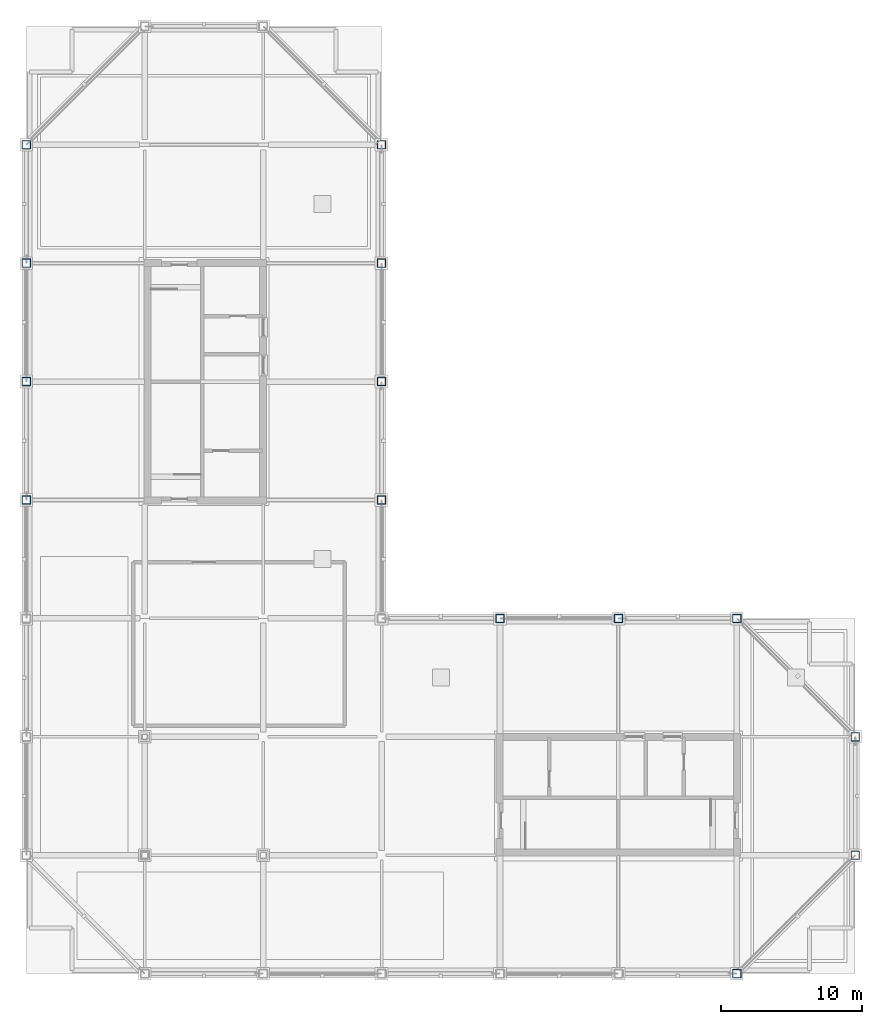
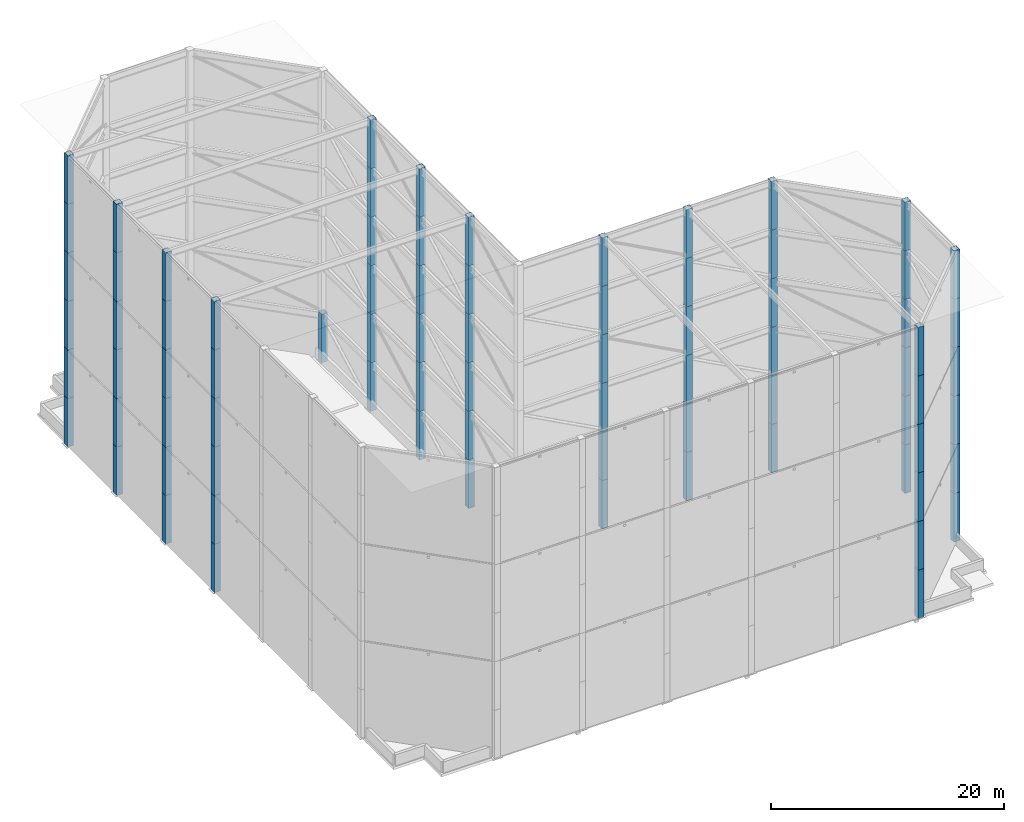
# One storey, part 2 of 17: 79 columns.
"""IFC4 building model written with IfcOpenShell, lengths in metres."""

from ifc_helpers import new_model, si_unit, direction, frame, origin, origin_2d, place, context, subcontext, project, spatial, hollow_rectangle, extrude, material, material_profile, profile_set, type_object, element, save


model = new_model("IFC4")

# Units and contexts
model_context = context("Model", 3, precision=1e-05, world=origin(), true_north=direction((0.0, 1.0)))
body_context = subcontext(model_context, "Body", "Model", "MODEL_VIEW")
ifc_project = project(units=[si_unit("LENGTHUNIT", "METRE"), si_unit("AREAUNIT", "SQUARE_METRE"), si_unit("VOLUMEUNIT", "CUBIC_METRE"), si_unit("PLANEANGLEUNIT", "RADIAN"), si_unit("MASSUNIT", "GRAM", prefix="KILO")], contexts=[model_context])

# Site, building, storey
site_placement = place(None, origin())
site = spatial("IfcSite", under=ifc_project, at=site_placement, CompositionType="ELEMENT")
building_placement = place(site_placement, origin())
building = spatial("IfcBuilding", under=site, at=building_placement, Name="Koriwani Terraces Tower", CompositionType="ELEMENT")
storey_placement = place(building_placement, frame((0.0, 0.0, 374.0)))
storey = spatial("IfcBuildingStorey", under=building, at=storey_placement, Name="RF", CompositionType="ELEMENT", Elevation=374.0)

# Columns
ifc_material = material(Name="Steel ASTM A572 Grade 50", Category="steel")
ifc_material_profile = material_profile(ifc_material, hollow_rectangle(XDim=0.60009765625, YDim=0.60009765625, WallThickness=0.02490234375, at=origin_2d()), Name="Steel ASTM A572 Grade 50", Category="LoadBearing")
ifc_profile_set = profile_set([ifc_material_profile], Name="Steel ASTM A572 Grade 50")
column_type = type_object("IfcColumnType", Name="CROWN_FRAME_COL_HSS600X600X25", PredefinedType="USERDEFINED", material=ifc_profile_set)
column_1_placement = place(storey_placement, frame((58.800048828125, 8.39990234375, 0.0), z_axis=(0.0, 0.0, 1.0), x_axis=(1.0, 0.0, 0.0)))
element("IfcColumn", 1, at=column_1_placement, inside=storey, type_object=column_type, Name="CROWN FRAME Tier 1 Column P06", ObjectType="CROWN FRAME", PredefinedType="USERDEFINED", context=body_context, shape_type="SweptSolid", body=[
    extrude(hollow_rectangle(XDim=0.60009765625, YDim=0.60009765625, WallThickness=0.02490234375, at=origin_2d()), origin(), (0.0, 0.0, 1.0), 5.090087890625),
])
column_2_placement = place(storey_placement, frame((58.800048828125, 8.39990234375, 5.090087890625), z_axis=(0.0, 0.0, 1.0), x_axis=(1.0, 0.0, 0.0)))
element("IfcColumn", 2, at=column_2_placement, inside=storey, type_object=column_type, Name="CROWN FRAME Tier 2 Column P06", ObjectType="CROWN FRAME", PredefinedType="USERDEFINED", context=body_context, shape_type="SweptSolid", body=[
    extrude(hollow_rectangle(XDim=0.60009765625, YDim=0.60009765625, WallThickness=0.02490234375, at=origin_2d()), origin(), (0.0, 0.0, 1.0), 5.08984375),
])
for number, where, z_axis, x_axis, name in (
    (3, (58.800048828125, 8.39990234375, 10.179931640625), (0.0, 0.0, 1.0), (1.0, 0.0, 0.0), "CROWN FRAME Tier 3 Column P06"),
    (4, (58.800048828125, 8.39990234375, 15.27001953125), (0.0, 0.0, 1.0), (1.0, 0.0, 0.0), "CROWN FRAME Tier 4 Column P06"),
):
    element("IfcColumn", number, at=place(storey_placement, frame(where, z_axis=z_axis, x_axis=x_axis)), inside=storey, type_object=column_type, Name=name, ObjectType="CROWN FRAME", PredefinedType="USERDEFINED", context=body_context, shape_type="SweptSolid", body=[
        extrude(hollow_rectangle(XDim=0.60009765625, YDim=0.60009765625, WallThickness=0.02490234375, at=origin_2d()), origin(), (0.0, 0.0, 1.0), 5.090087890625),
    ])
column_3_placement = place(storey_placement, frame((58.800048828125, 8.39990234375, 20.360107421875), z_axis=(0.0, 0.0, 1.0), x_axis=(1.0, 0.0, 0.0)))
element("IfcColumn", 5, at=column_3_placement, inside=storey, type_object=column_type, Name="CROWN FRAME Tier 5 Column P06", ObjectType="CROWN FRAME", PredefinedType="USERDEFINED", context=body_context, shape_type="SweptSolid", body=[
    extrude(hollow_rectangle(XDim=0.60009765625, YDim=0.60009765625, WallThickness=0.02490234375, at=origin_2d()), origin(), (0.0, 0.0, 1.0), 5.08984375),
])
for number, where, z_axis, x_axis, name in (
    (6, (58.800048828125, 8.39990234375, 25.449951171875), (0.0, 0.0, 1.0), (1.0, 0.0, 0.0), "CROWN FRAME Tier 6 Column P06"),
    (7, (67.199951171875, 16.800048828125, 0.0), (0.0, 0.0, 1.0), (1.0, 0.0, 0.0), "CROWN FRAME Tier 1 Column P07"),
):
    element("IfcColumn", number, at=place(storey_placement, frame(where, z_axis=z_axis, x_axis=x_axis)), inside=storey, type_object=column_type, Name=name, ObjectType="CROWN FRAME", PredefinedType="USERDEFINED", context=body_context, shape_type="SweptSolid", body=[
        extrude(hollow_rectangle(XDim=0.60009765625, YDim=0.60009765625, WallThickness=0.02490234375, at=origin_2d()), origin(), (0.0, 0.0, 1.0), 5.090087890625),
    ])
column_4_placement = place(storey_placement, frame((67.199951171875, 16.800048828125, 5.090087890625), z_axis=(0.0, 0.0, 1.0), x_axis=(1.0, 0.0, 0.0)))
element("IfcColumn", 8, at=column_4_placement, inside=storey, type_object=column_type, Name="CROWN FRAME Tier 2 Column P07", ObjectType="CROWN FRAME", PredefinedType="USERDEFINED", context=body_context, shape_type="SweptSolid", body=[
    extrude(hollow_rectangle(XDim=0.60009765625, YDim=0.60009765625, WallThickness=0.02490234375, at=origin_2d()), origin(), (0.0, 0.0, 1.0), 5.08984375),
])
for number, where, z_axis, x_axis, name in (
    (9, (67.199951171875, 16.800048828125, 10.179931640625), (0.0, 0.0, 1.0), (1.0, 0.0, 0.0), "CROWN FRAME Tier 3 Column P07"),
    (10, (67.199951171875, 16.800048828125, 15.27001953125), (0.0, 0.0, 1.0), (1.0, 0.0, 0.0), "CROWN FRAME Tier 4 Column P07"),
):
    element("IfcColumn", number, at=place(storey_placement, frame(where, z_axis=z_axis, x_axis=x_axis)), inside=storey, type_object=column_type, Name=name, ObjectType="CROWN FRAME", PredefinedType="USERDEFINED", context=body_context, shape_type="SweptSolid", body=[
        extrude(hollow_rectangle(XDim=0.60009765625, YDim=0.60009765625, WallThickness=0.02490234375, at=origin_2d()), origin(), (0.0, 0.0, 1.0), 5.090087890625),
    ])
column_5_placement = place(storey_placement, frame((67.199951171875, 16.800048828125, 20.360107421875), z_axis=(0.0, 0.0, 1.0), x_axis=(1.0, 0.0, 0.0)))
element("IfcColumn", 11, at=column_5_placement, inside=storey, type_object=column_type, Name="CROWN FRAME Tier 5 Column P07", ObjectType="CROWN FRAME", PredefinedType="USERDEFINED", context=body_context, shape_type="SweptSolid", body=[
    extrude(hollow_rectangle(XDim=0.60009765625, YDim=0.60009765625, WallThickness=0.02490234375, at=origin_2d()), origin(), (0.0, 0.0, 1.0), 5.08984375),
])
for number, where, z_axis, x_axis, name in (
    (12, (67.199951171875, 16.800048828125, 25.449951171875), (0.0, 0.0, 1.0), (1.0, 0.0, 0.0), "CROWN FRAME Tier 6 Column P07"),
    (13, (67.199951171875, 25.199951171875, 0.0), (0.0, 0.0, 1.0), (1.0, 0.0, 0.0), "CROWN FRAME Tier 1 Column P08"),
):
    element("IfcColumn", number, at=place(storey_placement, frame(where, z_axis=z_axis, x_axis=x_axis)), inside=storey, type_object=column_type, Name=name, ObjectType="CROWN FRAME", PredefinedType="USERDEFINED", context=body_context, shape_type="SweptSolid", body=[
        extrude(hollow_rectangle(XDim=0.60009765625, YDim=0.60009765625, WallThickness=0.02490234375, at=origin_2d()), origin(), (0.0, 0.0, 1.0), 5.090087890625),
    ])
column_6_placement = place(storey_placement, frame((67.199951171875, 25.199951171875, 5.090087890625), z_axis=(0.0, 0.0, 1.0), x_axis=(1.0, 0.0, 0.0)))
element("IfcColumn", 14, at=column_6_placement, inside=storey, type_object=column_type, Name="CROWN FRAME Tier 2 Column P08", ObjectType="CROWN FRAME", PredefinedType="USERDEFINED", context=body_context, shape_type="SweptSolid", body=[
    extrude(hollow_rectangle(XDim=0.60009765625, YDim=0.60009765625, WallThickness=0.02490234375, at=origin_2d()), origin(), (0.0, 0.0, 1.0), 5.08984375),
])
for number, where, z_axis, x_axis, name in (
    (15, (67.199951171875, 25.199951171875, 10.179931640625), (0.0, 0.0, 1.0), (1.0, 0.0, 0.0), "CROWN FRAME Tier 3 Column P08"),
    (16, (67.199951171875, 25.199951171875, 15.27001953125), (0.0, 0.0, 1.0), (1.0, 0.0, 0.0), "CROWN FRAME Tier 4 Column P08"),
):
    element("IfcColumn", number, at=place(storey_placement, frame(where, z_axis=z_axis, x_axis=x_axis)), inside=storey, type_object=column_type, Name=name, ObjectType="CROWN FRAME", PredefinedType="USERDEFINED", context=body_context, shape_type="SweptSolid", body=[
        extrude(hollow_rectangle(XDim=0.60009765625, YDim=0.60009765625, WallThickness=0.02490234375, at=origin_2d()), origin(), (0.0, 0.0, 1.0), 5.090087890625),
    ])
column_7_placement = place(storey_placement, frame((67.199951171875, 25.199951171875, 20.360107421875), z_axis=(0.0, 0.0, 1.0), x_axis=(1.0, 0.0, 0.0)))
element("IfcColumn", 17, at=column_7_placement, inside=storey, type_object=column_type, Name="CROWN FRAME Tier 5 Column P08", ObjectType="CROWN FRAME", PredefinedType="USERDEFINED", context=body_context, shape_type="SweptSolid", body=[
    extrude(hollow_rectangle(XDim=0.60009765625, YDim=0.60009765625, WallThickness=0.02490234375, at=origin_2d()), origin(), (0.0, 0.0, 1.0), 5.08984375),
])
for number, where, z_axis, x_axis, name in (
    (18, (67.199951171875, 25.199951171875, 25.449951171875), (0.0, 0.0, 1.0), (1.0, 0.0, 0.0), "CROWN FRAME Tier 6 Column P08"),
    (19, (58.800048828125, 33.60009765625, 0.0), (0.0, 0.0, 1.0), (1.0, 0.0, 0.0), "CROWN FRAME Tier 1 Column P09"),
):
    element("IfcColumn", number, at=place(storey_placement, frame(where, z_axis=z_axis, x_axis=x_axis)), inside=storey, type_object=column_type, Name=name, ObjectType="CROWN FRAME", PredefinedType="USERDEFINED", context=body_context, shape_type="SweptSolid", body=[
        extrude(hollow_rectangle(XDim=0.60009765625, YDim=0.60009765625, WallThickness=0.02490234375, at=origin_2d()), origin(), (0.0, 0.0, 1.0), 5.090087890625),
    ])
column_8_placement = place(storey_placement, frame((58.800048828125, 33.60009765625, 5.090087890625), z_axis=(0.0, 0.0, 1.0), x_axis=(1.0, 0.0, 0.0)))
element("IfcColumn", 20, at=column_8_placement, inside=storey, type_object=column_type, Name="CROWN FRAME Tier 2 Column P09", ObjectType="CROWN FRAME", PredefinedType="USERDEFINED", context=body_context, shape_type="SweptSolid", body=[
    extrude(hollow_rectangle(XDim=0.60009765625, YDim=0.60009765625, WallThickness=0.02490234375, at=origin_2d()), origin(), (0.0, 0.0, 1.0), 5.08984375),
])
for number, where, z_axis, x_axis, name in (
    (21, (58.800048828125, 33.60009765625, 10.179931640625), (0.0, 0.0, 1.0), (1.0, 0.0, 0.0), "CROWN FRAME Tier 3 Column P09"),
    (22, (58.800048828125, 33.60009765625, 15.27001953125), (0.0, 0.0, 1.0), (1.0, 0.0, 0.0), "CROWN FRAME Tier 4 Column P09"),
):
    element("IfcColumn", number, at=place(storey_placement, frame(where, z_axis=z_axis, x_axis=x_axis)), inside=storey, type_object=column_type, Name=name, ObjectType="CROWN FRAME", PredefinedType="USERDEFINED", context=body_context, shape_type="SweptSolid", body=[
        extrude(hollow_rectangle(XDim=0.60009765625, YDim=0.60009765625, WallThickness=0.02490234375, at=origin_2d()), origin(), (0.0, 0.0, 1.0), 5.090087890625),
    ])
column_9_placement = place(storey_placement, frame((58.800048828125, 33.60009765625, 20.360107421875), z_axis=(0.0, 0.0, 1.0), x_axis=(1.0, 0.0, 0.0)))
element("IfcColumn", 23, at=column_9_placement, inside=storey, type_object=column_type, Name="CROWN FRAME Tier 5 Column P09", ObjectType="CROWN FRAME", PredefinedType="USERDEFINED", context=body_context, shape_type="SweptSolid", body=[
    extrude(hollow_rectangle(XDim=0.60009765625, YDim=0.60009765625, WallThickness=0.02490234375, at=origin_2d()), origin(), (0.0, 0.0, 1.0), 5.08984375),
])
for number, where, z_axis, x_axis, name in (
    (24, (58.800048828125, 33.60009765625, 25.449951171875), (0.0, 0.0, 1.0), (1.0, 0.0, 0.0), "CROWN FRAME Tier 6 Column P09"),
    (25, (50.39990234375, 33.60009765625, 0.0), (0.0, 0.0, 1.0), (1.0, 0.0, 0.0), "CROWN FRAME Tier 1 Column P10"),
):
    element("IfcColumn", number, at=place(storey_placement, frame(where, z_axis=z_axis, x_axis=x_axis)), inside=storey, type_object=column_type, Name=name, ObjectType="CROWN FRAME", PredefinedType="USERDEFINED", context=body_context, shape_type="SweptSolid", body=[
        extrude(hollow_rectangle(XDim=0.60009765625, YDim=0.60009765625, WallThickness=0.02490234375, at=origin_2d()), origin(), (0.0, 0.0, 1.0), 5.090087890625),
    ])
column_10_placement = place(storey_placement, frame((50.39990234375, 33.60009765625, 5.090087890625), z_axis=(0.0, 0.0, 1.0), x_axis=(1.0, 0.0, 0.0)))
element("IfcColumn", 26, at=column_10_placement, inside=storey, type_object=column_type, Name="CROWN FRAME Tier 2 Column P10", ObjectType="CROWN FRAME", PredefinedType="USERDEFINED", context=body_context, shape_type="SweptSolid", body=[
    extrude(hollow_rectangle(XDim=0.60009765625, YDim=0.60009765625, WallThickness=0.02490234375, at=origin_2d()), origin(), (0.0, 0.0, 1.0), 5.08984375),
])
for number, where, z_axis, x_axis, name in (
    (27, (50.39990234375, 33.60009765625, 10.179931640625), (0.0, 0.0, 1.0), (1.0, 0.0, 0.0), "CROWN FRAME Tier 3 Column P10"),
    (28, (50.39990234375, 33.60009765625, 15.27001953125), (0.0, 0.0, 1.0), (1.0, 0.0, 0.0), "CROWN FRAME Tier 4 Column P10"),
):
    element("IfcColumn", number, at=place(storey_placement, frame(where, z_axis=z_axis, x_axis=x_axis)), inside=storey, type_object=column_type, Name=name, ObjectType="CROWN FRAME", PredefinedType="USERDEFINED", context=body_context, shape_type="SweptSolid", body=[
        extrude(hollow_rectangle(XDim=0.60009765625, YDim=0.60009765625, WallThickness=0.02490234375, at=origin_2d()), origin(), (0.0, 0.0, 1.0), 5.090087890625),
    ])
column_11_placement = place(storey_placement, frame((50.39990234375, 33.60009765625, 20.360107421875), z_axis=(0.0, 0.0, 1.0), x_axis=(1.0, 0.0, 0.0)))
element("IfcColumn", 29, at=column_11_placement, inside=storey, type_object=column_type, Name="CROWN FRAME Tier 5 Column P10", ObjectType="CROWN FRAME", PredefinedType="USERDEFINED", context=body_context, shape_type="SweptSolid", body=[
    extrude(hollow_rectangle(XDim=0.60009765625, YDim=0.60009765625, WallThickness=0.02490234375, at=origin_2d()), origin(), (0.0, 0.0, 1.0), 5.08984375),
])
for number, where, z_axis, x_axis, name in (
    (30, (50.39990234375, 33.60009765625, 25.449951171875), (0.0, 0.0, 1.0), (1.0, 0.0, 0.0), "CROWN FRAME Tier 6 Column P10"),
    (31, (42.0, 33.60009765625, 0.0), (0.0, 0.0, 1.0), (1.0, 0.0, 0.0), "CROWN FRAME Tier 1 Column P11"),
):
    element("IfcColumn", number, at=place(storey_placement, frame(where, z_axis=z_axis, x_axis=x_axis)), inside=storey, type_object=column_type, Name=name, ObjectType="CROWN FRAME", PredefinedType="USERDEFINED", context=body_context, shape_type="SweptSolid", body=[
        extrude(hollow_rectangle(XDim=0.60009765625, YDim=0.60009765625, WallThickness=0.02490234375, at=origin_2d()), origin(), (0.0, 0.0, 1.0), 5.090087890625),
    ])
column_12_placement = place(storey_placement, frame((42.0, 33.60009765625, 5.090087890625), z_axis=(0.0, 0.0, 1.0), x_axis=(1.0, 0.0, 0.0)))
element("IfcColumn", 32, at=column_12_placement, inside=storey, type_object=column_type, Name="CROWN FRAME Tier 2 Column P11", ObjectType="CROWN FRAME", PredefinedType="USERDEFINED", context=body_context, shape_type="SweptSolid", body=[
    extrude(hollow_rectangle(XDim=0.60009765625, YDim=0.60009765625, WallThickness=0.02490234375, at=origin_2d()), origin(), (0.0, 0.0, 1.0), 5.08984375),
])
for number, where, z_axis, x_axis, name in (
    (33, (42.0, 33.60009765625, 10.179931640625), (0.0, 0.0, 1.0), (1.0, 0.0, 0.0), "CROWN FRAME Tier 3 Column P11"),
    (34, (42.0, 33.60009765625, 15.27001953125), (0.0, 0.0, 1.0), (1.0, 0.0, 0.0), "CROWN FRAME Tier 4 Column P11"),
):
    element("IfcColumn", number, at=place(storey_placement, frame(where, z_axis=z_axis, x_axis=x_axis)), inside=storey, type_object=column_type, Name=name, ObjectType="CROWN FRAME", PredefinedType="USERDEFINED", context=body_context, shape_type="SweptSolid", body=[
        extrude(hollow_rectangle(XDim=0.60009765625, YDim=0.60009765625, WallThickness=0.02490234375, at=origin_2d()), origin(), (0.0, 0.0, 1.0), 5.090087890625),
    ])
column_13_placement = place(storey_placement, frame((42.0, 33.60009765625, 20.360107421875), z_axis=(0.0, 0.0, 1.0), x_axis=(1.0, 0.0, 0.0)))
element("IfcColumn", 35, at=column_13_placement, inside=storey, type_object=column_type, Name="CROWN FRAME Tier 5 Column P11", ObjectType="CROWN FRAME", PredefinedType="USERDEFINED", context=body_context, shape_type="SweptSolid", body=[
    extrude(hollow_rectangle(XDim=0.60009765625, YDim=0.60009765625, WallThickness=0.02490234375, at=origin_2d()), origin(), (0.0, 0.0, 1.0), 5.08984375),
])
for number, where, z_axis, x_axis, name in (
    (36, (42.0, 33.60009765625, 25.449951171875), (0.0, 0.0, 1.0), (1.0, 0.0, 0.0), "CROWN FRAME Tier 6 Column P11"),
    (37, (33.60009765625, 42.0, 0.0), (0.0, 0.0, 1.0), (1.0, 0.0, 0.0), "CROWN FRAME Tier 1 Column P13"),
):
    element("IfcColumn", number, at=place(storey_placement, frame(where, z_axis=z_axis, x_axis=x_axis)), inside=storey, type_object=column_type, Name=name, ObjectType="CROWN FRAME", PredefinedType="USERDEFINED", context=body_context, shape_type="SweptSolid", body=[
        extrude(hollow_rectangle(XDim=0.60009765625, YDim=0.60009765625, WallThickness=0.02490234375, at=origin_2d()), origin(), (0.0, 0.0, 1.0), 5.090087890625),
    ])
column_14_placement = place(storey_placement, frame((33.60009765625, 42.0, 5.090087890625), z_axis=(0.0, 0.0, 1.0), x_axis=(1.0, 0.0, 0.0)))
element("IfcColumn", 38, at=column_14_placement, inside=storey, type_object=column_type, Name="CROWN FRAME Tier 2 Column P13", ObjectType="CROWN FRAME", PredefinedType="USERDEFINED", context=body_context, shape_type="SweptSolid", body=[
    extrude(hollow_rectangle(XDim=0.60009765625, YDim=0.60009765625, WallThickness=0.02490234375, at=origin_2d()), origin(), (0.0, 0.0, 1.0), 5.08984375),
])
for number, where, z_axis, x_axis, name in (
    (39, (33.60009765625, 42.0, 10.179931640625), (0.0, 0.0, 1.0), (1.0, 0.0, 0.0), "CROWN FRAME Tier 3 Column P13"),
    (40, (33.60009765625, 42.0, 15.27001953125), (0.0, 0.0, 1.0), (1.0, 0.0, 0.0), "CROWN FRAME Tier 4 Column P13"),
):
    element("IfcColumn", number, at=place(storey_placement, frame(where, z_axis=z_axis, x_axis=x_axis)), inside=storey, type_object=column_type, Name=name, ObjectType="CROWN FRAME", PredefinedType="USERDEFINED", context=body_context, shape_type="SweptSolid", body=[
        extrude(hollow_rectangle(XDim=0.60009765625, YDim=0.60009765625, WallThickness=0.02490234375, at=origin_2d()), origin(), (0.0, 0.0, 1.0), 5.090087890625),
    ])
column_15_placement = place(storey_placement, frame((33.60009765625, 42.0, 20.360107421875), z_axis=(0.0, 0.0, 1.0), x_axis=(1.0, 0.0, 0.0)))
element("IfcColumn", 41, at=column_15_placement, inside=storey, type_object=column_type, Name="CROWN FRAME Tier 5 Column P13", ObjectType="CROWN FRAME", PredefinedType="USERDEFINED", context=body_context, shape_type="SweptSolid", body=[
    extrude(hollow_rectangle(XDim=0.60009765625, YDim=0.60009765625, WallThickness=0.02490234375, at=origin_2d()), origin(), (0.0, 0.0, 1.0), 5.08984375),
])
for number, where, z_axis, x_axis, name in (
    (42, (33.60009765625, 42.0, 25.449951171875), (0.0, 0.0, 1.0), (1.0, 0.0, 0.0), "CROWN FRAME Tier 6 Column P13"),
    (43, (33.60009765625, 50.39990234375, 0.0), (0.0, 0.0, 1.0), (1.0, 0.0, 0.0), "CROWN FRAME Tier 1 Column P14"),
):
    element("IfcColumn", number, at=place(storey_placement, frame(where, z_axis=z_axis, x_axis=x_axis)), inside=storey, type_object=column_type, Name=name, ObjectType="CROWN FRAME", PredefinedType="USERDEFINED", context=body_context, shape_type="SweptSolid", body=[
        extrude(hollow_rectangle(XDim=0.60009765625, YDim=0.60009765625, WallThickness=0.02490234375, at=origin_2d()), origin(), (0.0, 0.0, 1.0), 5.090087890625),
    ])
column_16_placement = place(storey_placement, frame((33.60009765625, 50.39990234375, 5.090087890625), z_axis=(0.0, 0.0, 1.0), x_axis=(1.0, 0.0, 0.0)))
element("IfcColumn", 44, at=column_16_placement, inside=storey, type_object=column_type, Name="CROWN FRAME Tier 2 Column P14", ObjectType="CROWN FRAME", PredefinedType="USERDEFINED", context=body_context, shape_type="SweptSolid", body=[
    extrude(hollow_rectangle(XDim=0.60009765625, YDim=0.60009765625, WallThickness=0.02490234375, at=origin_2d()), origin(), (0.0, 0.0, 1.0), 5.08984375),
])
for number, where, z_axis, x_axis, name in (
    (45, (33.60009765625, 50.39990234375, 10.179931640625), (0.0, 0.0, 1.0), (1.0, 0.0, 0.0), "CROWN FRAME Tier 3 Column P14"),
    (46, (33.60009765625, 50.39990234375, 15.27001953125), (0.0, 0.0, 1.0), (1.0, 0.0, 0.0), "CROWN FRAME Tier 4 Column P14"),
):
    element("IfcColumn", number, at=place(storey_placement, frame(where, z_axis=z_axis, x_axis=x_axis)), inside=storey, type_object=column_type, Name=name, ObjectType="CROWN FRAME", PredefinedType="USERDEFINED", context=body_context, shape_type="SweptSolid", body=[
        extrude(hollow_rectangle(XDim=0.60009765625, YDim=0.60009765625, WallThickness=0.02490234375, at=origin_2d()), origin(), (0.0, 0.0, 1.0), 5.090087890625),
    ])
column_17_placement = place(storey_placement, frame((33.60009765625, 50.39990234375, 20.360107421875), z_axis=(0.0, 0.0, 1.0), x_axis=(1.0, 0.0, 0.0)))
element("IfcColumn", 47, at=column_17_placement, inside=storey, type_object=column_type, Name="CROWN FRAME Tier 5 Column P14", ObjectType="CROWN FRAME", PredefinedType="USERDEFINED", context=body_context, shape_type="SweptSolid", body=[
    extrude(hollow_rectangle(XDim=0.60009765625, YDim=0.60009765625, WallThickness=0.02490234375, at=origin_2d()), origin(), (0.0, 0.0, 1.0), 5.08984375),
])
for number, where, z_axis, x_axis, name in (
    (48, (33.60009765625, 50.39990234375, 25.449951171875), (0.0, 0.0, 1.0), (1.0, 0.0, 0.0), "CROWN FRAME Tier 6 Column P14"),
    (49, (33.60009765625, 58.800048828125, 0.0), (0.0, 0.0, 1.0), (1.0, 0.0, 0.0), "CROWN FRAME Tier 1 Column P15"),
):
    element("IfcColumn", number, at=place(storey_placement, frame(where, z_axis=z_axis, x_axis=x_axis)), inside=storey, type_object=column_type, Name=name, ObjectType="CROWN FRAME", PredefinedType="USERDEFINED", context=body_context, shape_type="SweptSolid", body=[
        extrude(hollow_rectangle(XDim=0.60009765625, YDim=0.60009765625, WallThickness=0.02490234375, at=origin_2d()), origin(), (0.0, 0.0, 1.0), 5.090087890625),
    ])
column_18_placement = place(storey_placement, frame((33.60009765625, 58.800048828125, 5.090087890625), z_axis=(0.0, 0.0, 1.0), x_axis=(1.0, 0.0, 0.0)))
element("IfcColumn", 50, at=column_18_placement, inside=storey, type_object=column_type, Name="CROWN FRAME Tier 2 Column P15", ObjectType="CROWN FRAME", PredefinedType="USERDEFINED", context=body_context, shape_type="SweptSolid", body=[
    extrude(hollow_rectangle(XDim=0.60009765625, YDim=0.60009765625, WallThickness=0.02490234375, at=origin_2d()), origin(), (0.0, 0.0, 1.0), 5.08984375),
])
for number, where, z_axis, x_axis, name in (
    (51, (33.60009765625, 58.800048828125, 10.179931640625), (0.0, 0.0, 1.0), (1.0, 0.0, 0.0), "CROWN FRAME Tier 3 Column P15"),
    (52, (33.60009765625, 58.800048828125, 15.27001953125), (0.0, 0.0, 1.0), (1.0, 0.0, 0.0), "CROWN FRAME Tier 4 Column P15"),
):
    element("IfcColumn", number, at=place(storey_placement, frame(where, z_axis=z_axis, x_axis=x_axis)), inside=storey, type_object=column_type, Name=name, ObjectType="CROWN FRAME", PredefinedType="USERDEFINED", context=body_context, shape_type="SweptSolid", body=[
        extrude(hollow_rectangle(XDim=0.60009765625, YDim=0.60009765625, WallThickness=0.02490234375, at=origin_2d()), origin(), (0.0, 0.0, 1.0), 5.090087890625),
    ])
column_19_placement = place(storey_placement, frame((33.60009765625, 58.800048828125, 20.360107421875), z_axis=(0.0, 0.0, 1.0), x_axis=(1.0, 0.0, 0.0)))
element("IfcColumn", 53, at=column_19_placement, inside=storey, type_object=column_type, Name="CROWN FRAME Tier 5 Column P15", ObjectType="CROWN FRAME", PredefinedType="USERDEFINED", context=body_context, shape_type="SweptSolid", body=[
    extrude(hollow_rectangle(XDim=0.60009765625, YDim=0.60009765625, WallThickness=0.02490234375, at=origin_2d()), origin(), (0.0, 0.0, 1.0), 5.08984375),
])
for number, where, z_axis, x_axis, name in (
    (54, (33.60009765625, 58.800048828125, 25.449951171875), (0.0, 0.0, 1.0), (1.0, 0.0, 0.0), "CROWN FRAME Tier 6 Column P15"),
    (55, (33.60009765625, 67.199951171875, 0.0), (0.0, 0.0, 1.0), (1.0, 0.0, 0.0), "CROWN FRAME Tier 1 Column P16"),
    (56, (8.39990234375, 67.199951171875, 0.0), (0.0, 0.0, 1.0), (1.0, 0.0, 0.0), "CROWN FRAME Tier 1 Column P19"),
):
    element("IfcColumn", number, at=place(storey_placement, frame(where, z_axis=z_axis, x_axis=x_axis)), inside=storey, type_object=column_type, Name=name, ObjectType="CROWN FRAME", PredefinedType="USERDEFINED", context=body_context, shape_type="SweptSolid", body=[
        extrude(hollow_rectangle(XDim=0.60009765625, YDim=0.60009765625, WallThickness=0.02490234375, at=origin_2d()), origin(), (0.0, 0.0, 1.0), 5.090087890625),
    ])
column_20_placement = place(storey_placement, frame((8.39990234375, 67.199951171875, 5.090087890625), z_axis=(0.0, 0.0, 1.0), x_axis=(1.0, 0.0, 0.0)))
element("IfcColumn", 57, at=column_20_placement, inside=storey, type_object=column_type, Name="CROWN FRAME Tier 2 Column P19", ObjectType="CROWN FRAME", PredefinedType="USERDEFINED", context=body_context, shape_type="SweptSolid", body=[
    extrude(hollow_rectangle(XDim=0.60009765625, YDim=0.60009765625, WallThickness=0.02490234375, at=origin_2d()), origin(), (0.0, 0.0, 1.0), 5.08984375),
])
for number, where, z_axis, x_axis, name in (
    (58, (8.39990234375, 67.199951171875, 10.179931640625), (0.0, 0.0, 1.0), (1.0, 0.0, 0.0), "CROWN FRAME Tier 3 Column P19"),
    (59, (8.39990234375, 67.199951171875, 15.27001953125), (0.0, 0.0, 1.0), (1.0, 0.0, 0.0), "CROWN FRAME Tier 4 Column P19"),
):
    element("IfcColumn", number, at=place(storey_placement, frame(where, z_axis=z_axis, x_axis=x_axis)), inside=storey, type_object=column_type, Name=name, ObjectType="CROWN FRAME", PredefinedType="USERDEFINED", context=body_context, shape_type="SweptSolid", body=[
        extrude(hollow_rectangle(XDim=0.60009765625, YDim=0.60009765625, WallThickness=0.02490234375, at=origin_2d()), origin(), (0.0, 0.0, 1.0), 5.090087890625),
    ])
column_21_placement = place(storey_placement, frame((8.39990234375, 67.199951171875, 20.360107421875), z_axis=(0.0, 0.0, 1.0), x_axis=(1.0, 0.0, 0.0)))
element("IfcColumn", 60, at=column_21_placement, inside=storey, type_object=column_type, Name="CROWN FRAME Tier 5 Column P19", ObjectType="CROWN FRAME", PredefinedType="USERDEFINED", context=body_context, shape_type="SweptSolid", body=[
    extrude(hollow_rectangle(XDim=0.60009765625, YDim=0.60009765625, WallThickness=0.02490234375, at=origin_2d()), origin(), (0.0, 0.0, 1.0), 5.08984375),
])
for number, where, z_axis, x_axis, name in (
    (61, (8.39990234375, 67.199951171875, 25.449951171875), (0.0, 0.0, 1.0), (1.0, 0.0, 0.0), "CROWN FRAME Tier 6 Column P19"),
    (62, (8.39990234375, 58.800048828125, 0.0), (0.0, 0.0, 1.0), (1.0, 0.0, 0.0), "CROWN FRAME Tier 1 Column P20"),
):
    element("IfcColumn", number, at=place(storey_placement, frame(where, z_axis=z_axis, x_axis=x_axis)), inside=storey, type_object=column_type, Name=name, ObjectType="CROWN FRAME", PredefinedType="USERDEFINED", context=body_context, shape_type="SweptSolid", body=[
        extrude(hollow_rectangle(XDim=0.60009765625, YDim=0.60009765625, WallThickness=0.02490234375, at=origin_2d()), origin(), (0.0, 0.0, 1.0), 5.090087890625),
    ])
column_22_placement = place(storey_placement, frame((8.39990234375, 58.800048828125, 5.090087890625), z_axis=(0.0, 0.0, 1.0), x_axis=(1.0, 0.0, 0.0)))
element("IfcColumn", 63, at=column_22_placement, inside=storey, type_object=column_type, Name="CROWN FRAME Tier 2 Column P20", ObjectType="CROWN FRAME", PredefinedType="USERDEFINED", context=body_context, shape_type="SweptSolid", body=[
    extrude(hollow_rectangle(XDim=0.60009765625, YDim=0.60009765625, WallThickness=0.02490234375, at=origin_2d()), origin(), (0.0, 0.0, 1.0), 5.08984375),
])
for number, where, z_axis, x_axis, name in (
    (64, (8.39990234375, 58.800048828125, 10.179931640625), (0.0, 0.0, 1.0), (1.0, 0.0, 0.0), "CROWN FRAME Tier 3 Column P20"),
    (65, (8.39990234375, 58.800048828125, 15.27001953125), (0.0, 0.0, 1.0), (1.0, 0.0, 0.0), "CROWN FRAME Tier 4 Column P20"),
):
    element("IfcColumn", number, at=place(storey_placement, frame(where, z_axis=z_axis, x_axis=x_axis)), inside=storey, type_object=column_type, Name=name, ObjectType="CROWN FRAME", PredefinedType="USERDEFINED", context=body_context, shape_type="SweptSolid", body=[
        extrude(hollow_rectangle(XDim=0.60009765625, YDim=0.60009765625, WallThickness=0.02490234375, at=origin_2d()), origin(), (0.0, 0.0, 1.0), 5.090087890625),
    ])
column_23_placement = place(storey_placement, frame((8.39990234375, 58.800048828125, 20.360107421875), z_axis=(0.0, 0.0, 1.0), x_axis=(1.0, 0.0, 0.0)))
element("IfcColumn", 66, at=column_23_placement, inside=storey, type_object=column_type, Name="CROWN FRAME Tier 5 Column P20", ObjectType="CROWN FRAME", PredefinedType="USERDEFINED", context=body_context, shape_type="SweptSolid", body=[
    extrude(hollow_rectangle(XDim=0.60009765625, YDim=0.60009765625, WallThickness=0.02490234375, at=origin_2d()), origin(), (0.0, 0.0, 1.0), 5.08984375),
])
for number, where, z_axis, x_axis, name in (
    (67, (8.39990234375, 58.800048828125, 25.449951171875), (0.0, 0.0, 1.0), (1.0, 0.0, 0.0), "CROWN FRAME Tier 6 Column P20"),
    (68, (8.39990234375, 50.39990234375, 0.0), (0.0, 0.0, 1.0), (1.0, 0.0, 0.0), "CROWN FRAME Tier 1 Column P21"),
):
    element("IfcColumn", number, at=place(storey_placement, frame(where, z_axis=z_axis, x_axis=x_axis)), inside=storey, type_object=column_type, Name=name, ObjectType="CROWN FRAME", PredefinedType="USERDEFINED", context=body_context, shape_type="SweptSolid", body=[
        extrude(hollow_rectangle(XDim=0.60009765625, YDim=0.60009765625, WallThickness=0.02490234375, at=origin_2d()), origin(), (0.0, 0.0, 1.0), 5.090087890625),
    ])
column_24_placement = place(storey_placement, frame((8.39990234375, 50.39990234375, 5.090087890625), z_axis=(0.0, 0.0, 1.0), x_axis=(1.0, 0.0, 0.0)))
element("IfcColumn", 69, at=column_24_placement, inside=storey, type_object=column_type, Name="CROWN FRAME Tier 2 Column P21", ObjectType="CROWN FRAME", PredefinedType="USERDEFINED", context=body_context, shape_type="SweptSolid", body=[
    extrude(hollow_rectangle(XDim=0.60009765625, YDim=0.60009765625, WallThickness=0.02490234375, at=origin_2d()), origin(), (0.0, 0.0, 1.0), 5.08984375),
])
for number, where, z_axis, x_axis, name in (
    (70, (8.39990234375, 50.39990234375, 10.179931640625), (0.0, 0.0, 1.0), (1.0, 0.0, 0.0), "CROWN FRAME Tier 3 Column P21"),
    (71, (8.39990234375, 50.39990234375, 15.27001953125), (0.0, 0.0, 1.0), (1.0, 0.0, 0.0), "CROWN FRAME Tier 4 Column P21"),
):
    element("IfcColumn", number, at=place(storey_placement, frame(where, z_axis=z_axis, x_axis=x_axis)), inside=storey, type_object=column_type, Name=name, ObjectType="CROWN FRAME", PredefinedType="USERDEFINED", context=body_context, shape_type="SweptSolid", body=[
        extrude(hollow_rectangle(XDim=0.60009765625, YDim=0.60009765625, WallThickness=0.02490234375, at=origin_2d()), origin(), (0.0, 0.0, 1.0), 5.090087890625),
    ])
column_25_placement = place(storey_placement, frame((8.39990234375, 50.39990234375, 20.360107421875), z_axis=(0.0, 0.0, 1.0), x_axis=(1.0, 0.0, 0.0)))
element("IfcColumn", 72, at=column_25_placement, inside=storey, type_object=column_type, Name="CROWN FRAME Tier 5 Column P21", ObjectType="CROWN FRAME", PredefinedType="USERDEFINED", context=body_context, shape_type="SweptSolid", body=[
    extrude(hollow_rectangle(XDim=0.60009765625, YDim=0.60009765625, WallThickness=0.02490234375, at=origin_2d()), origin(), (0.0, 0.0, 1.0), 5.08984375),
])
for number, where, z_axis, x_axis, name in (
    (73, (8.39990234375, 50.39990234375, 25.449951171875), (0.0, 0.0, 1.0), (1.0, 0.0, 0.0), "CROWN FRAME Tier 6 Column P21"),
    (74, (8.39990234375, 42.0, 0.0), (0.0, 0.0, 1.0), (1.0, 0.0, 0.0), "CROWN FRAME Tier 1 Column P22"),
):
    element("IfcColumn", number, at=place(storey_placement, frame(where, z_axis=z_axis, x_axis=x_axis)), inside=storey, type_object=column_type, Name=name, ObjectType="CROWN FRAME", PredefinedType="USERDEFINED", context=body_context, shape_type="SweptSolid", body=[
        extrude(hollow_rectangle(XDim=0.60009765625, YDim=0.60009765625, WallThickness=0.02490234375, at=origin_2d()), origin(), (0.0, 0.0, 1.0), 5.090087890625),
    ])
column_26_placement = place(storey_placement, frame((8.39990234375, 42.0, 5.090087890625), z_axis=(0.0, 0.0, 1.0), x_axis=(1.0, 0.0, 0.0)))
element("IfcColumn", 75, at=column_26_placement, inside=storey, type_object=column_type, Name="CROWN FRAME Tier 2 Column P22", ObjectType="CROWN FRAME", PredefinedType="USERDEFINED", context=body_context, shape_type="SweptSolid", body=[
    extrude(hollow_rectangle(XDim=0.60009765625, YDim=0.60009765625, WallThickness=0.02490234375, at=origin_2d()), origin(), (0.0, 0.0, 1.0), 5.08984375),
])
for number, where, z_axis, x_axis, name in (
    (76, (8.39990234375, 42.0, 10.179931640625), (0.0, 0.0, 1.0), (1.0, 0.0, 0.0), "CROWN FRAME Tier 3 Column P22"),
    (77, (8.39990234375, 42.0, 15.27001953125), (0.0, 0.0, 1.0), (1.0, 0.0, 0.0), "CROWN FRAME Tier 4 Column P22"),
):
    element("IfcColumn", number, at=place(storey_placement, frame(where, z_axis=z_axis, x_axis=x_axis)), inside=storey, type_object=column_type, Name=name, ObjectType="CROWN FRAME", PredefinedType="USERDEFINED", context=body_context, shape_type="SweptSolid", body=[
        extrude(hollow_rectangle(XDim=0.60009765625, YDim=0.60009765625, WallThickness=0.02490234375, at=origin_2d()), origin(), (0.0, 0.0, 1.0), 5.090087890625),
    ])
column_27_placement = place(storey_placement, frame((8.39990234375, 42.0, 20.360107421875), z_axis=(0.0, 0.0, 1.0), x_axis=(1.0, 0.0, 0.0)))
element("IfcColumn", 78, at=column_27_placement, inside=storey, type_object=column_type, Name="CROWN FRAME Tier 5 Column P22", ObjectType="CROWN FRAME", PredefinedType="USERDEFINED", context=body_context, shape_type="SweptSolid", body=[
    extrude(hollow_rectangle(XDim=0.60009765625, YDim=0.60009765625, WallThickness=0.02490234375, at=origin_2d()), origin(), (0.0, 0.0, 1.0), 5.08984375),
])
column_28_placement = place(storey_placement, frame((8.39990234375, 42.0, 25.449951171875), z_axis=(0.0, 0.0, 1.0), x_axis=(1.0, 0.0, 0.0)))
element("IfcColumn", 79, at=column_28_placement, inside=storey, type_object=column_type, Name="CROWN FRAME Tier 6 Column P22", ObjectType="CROWN FRAME", PredefinedType="USERDEFINED", context=body_context, shape_type="SweptSolid", body=[
    extrude(hollow_rectangle(XDim=0.60009765625, YDim=0.60009765625, WallThickness=0.02490234375, at=origin_2d()), origin(), (0.0, 0.0, 1.0), 5.090087890625),
])

save(model, "model.ifc")
